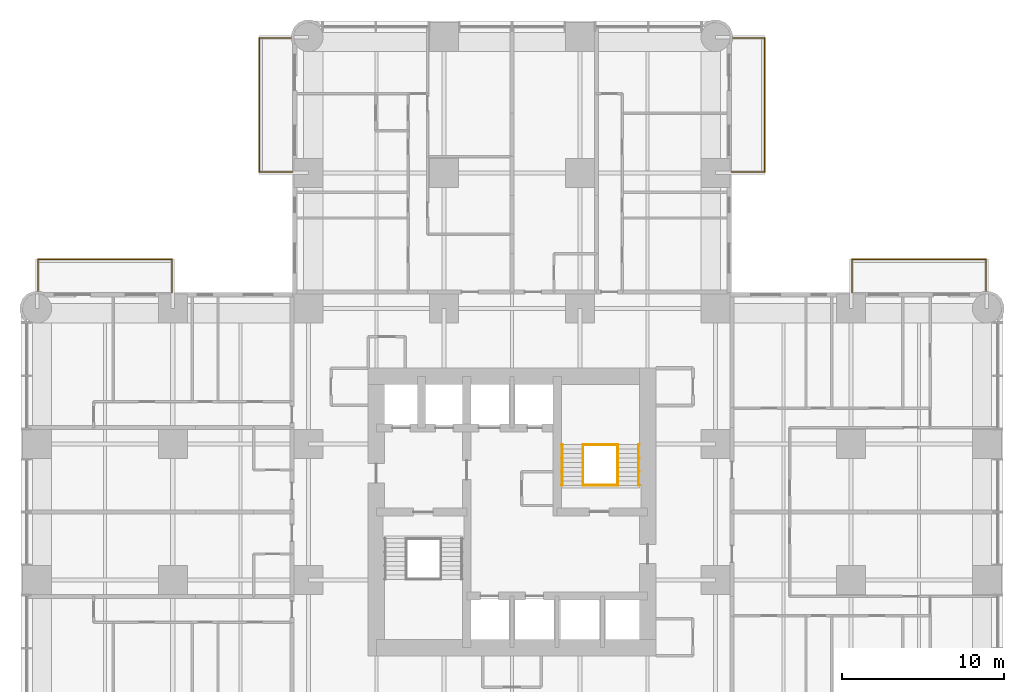
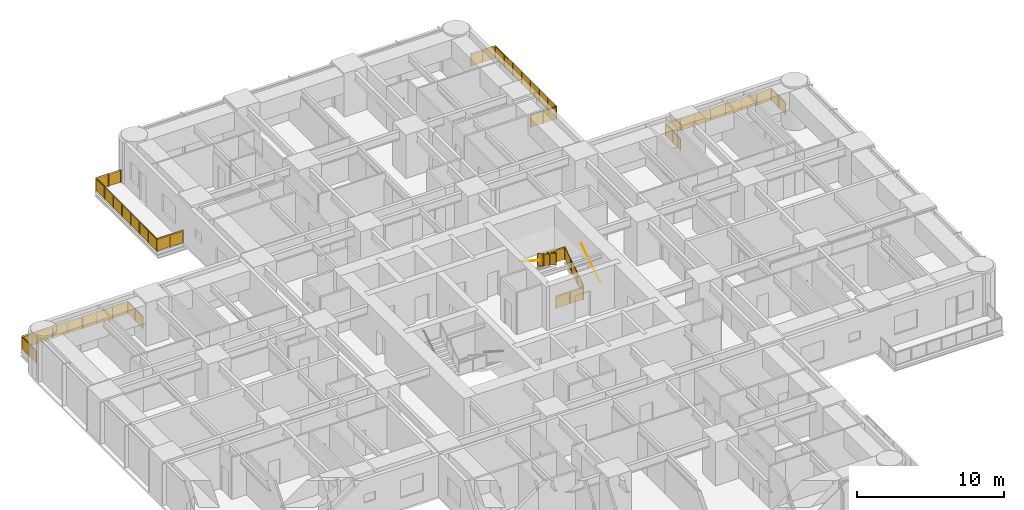
# One storey, part 17 of 17: 10 railings.
"""IFC4 building model written with IfcOpenShell, lengths in metres."""

from ifc_helpers import new_model, si_unit, direction, frame, origin, origin_2d, place, context, subcontext, project, spatial, polyline, circle, outline, extrude, material, constituent, constituent_set, type_object, element, save


model = new_model("IFC4")

# Units and contexts
model_context = context("Model", 3, precision=1e-05, world=origin(), true_north=direction((0.0, 1.0)))
body_context = subcontext(model_context, "Body", "Model", "MODEL_VIEW")
ifc_project = project(units=[si_unit("LENGTHUNIT", "METRE"), si_unit("AREAUNIT", "SQUARE_METRE"), si_unit("VOLUMEUNIT", "CUBIC_METRE"), si_unit("PLANEANGLEUNIT", "RADIAN"), si_unit("MASSUNIT", "GRAM", prefix="KILO")], contexts=[model_context])

# Site, building, storey
site_placement = place(None, origin())
site = spatial("IfcSite", under=ifc_project, at=site_placement, CompositionType="ELEMENT")
building_placement = place(site_placement, origin())
building = spatial("IfcBuilding", under=site, at=building_placement, Name="Torre Alcanfor", CompositionType="ELEMENT")
storey_placement = place(building_placement, frame((0.0, 0.0, 63.300048828125)))
storey = spatial("IfcBuildingStorey", under=building, at=storey_placement, Name="L15", CompositionType="ELEMENT", Elevation=63.300048828125)

# Railings
ifc_material_1 = material(Name="Laminated safety glass", Category="glass")
ifc_constituent_1 = constituent(ifc_material_1, Name="Infill")
ifc_material_2 = material(Name="Stainless steel ASTM A554 Grade MT 316L tube", Category="steel")
ifc_constituent_2 = constituent(ifc_material_2, Name="Posts and rail")
ifc_constituent_set = constituent_set(constituents=[ifc_constituent_1, ifc_constituent_2], Name="Balcony guard glass 1100")
railing_type_1 = type_object("IfcRailingType", Name="Balcony guard glass 1100", PredefinedType="BALUSTRADE", material=ifc_constituent_set)
railing_1_placement = place(storey_placement, frame((15.800048828125, 50.449951171875, 0.0)))
element("IfcRailing", 1, at=railing_1_placement, inside=storey, type_object=railing_type_1, Name="Balcony guard L15-N1", PredefinedType="BALUSTRADE", context=body_context, shape_type="SweptSolid", body=[
    extrude(circle(Radius=0.02392578125, at=origin_2d()), frame((0.0, 0.0, 1.076171875), z_axis=(-1.0, 0.0, 0.0), x_axis=(0.0, -1.0, 0.0)), (0.0, 0.0, 1.0), 2.050048828125),
    extrude(circle(Radius=0.02392578125, at=origin_2d()), frame((-2.050048828125, 0.0, 1.076171875), z_axis=(0.0, 1.0, 0.0), x_axis=(-1.0, 0.0, 0.0)), (0.0, 0.0, 1.0), 8.300048828125),
    extrude(circle(Radius=0.02392578125, at=origin_2d()), frame((-2.050048828125, 8.300048828125, 1.076171875), z_axis=(1.0, 0.0, 0.0), x_axis=(0.0, 1.0, 0.0)), (0.0, 0.0, 1.0), 1.968994140625),
    extrude(circle(Radius=0.02099609375, at=origin_2d()), origin(), (0.0, 0.0, 1.0), 1.052001953125),
    extrude(circle(Radius=0.02099609375, at=origin_2d()), frame((-1.02490234375, 0.0, 0.0)), (0.0, 0.0, 1.0), 1.052001953125),
    extrude(circle(Radius=0.02099609375, at=origin_2d()), frame((-2.050048828125, 0.0, 0.0)), (0.0, 0.0, 1.0), 1.052001953125),
    extrude(circle(Radius=0.02099609375, at=origin_2d()), frame((-2.050048828125, 1.185791015625, 0.0)), (0.0, 0.0, 1.0), 1.052001953125),
    extrude(circle(Radius=0.02099609375, at=origin_2d()), frame((-2.050048828125, 2.371337890625, 0.0)), (0.0, 0.0, 1.0), 1.052001953125),
    extrude(circle(Radius=0.02099609375, at=origin_2d()), frame((-2.050048828125, 3.55712890625, 0.0)), (0.0, 0.0, 1.0), 1.052001953125),
    extrude(circle(Radius=0.02099609375, at=origin_2d()), frame((-2.050048828125, 4.742919921875, 0.0)), (0.0, 0.0, 1.0), 1.052001953125),
    extrude(circle(Radius=0.02099609375, at=origin_2d()), frame((-2.050048828125, 5.9287109375, 0.0)), (0.0, 0.0, 1.0), 1.052001953125),
    extrude(circle(Radius=0.02099609375, at=origin_2d()), frame((-2.050048828125, 7.1142578125, 0.0)), (0.0, 0.0, 1.0), 1.052001953125),
    extrude(circle(Radius=0.02099609375, at=origin_2d()), frame((-2.050048828125, 8.300048828125, 0.0)), (0.0, 0.0, 1.0), 1.052001953125),
    extrude(circle(Radius=0.02099609375, at=origin_2d()), frame((-1.0654296875, 8.300048828125, 0.0)), (0.0, 0.0, 1.0), 1.052001953125),
    extrude(circle(Radius=0.02099609375, at=origin_2d()), frame((-0.0810546875, 8.300048828125, 0.0)), (0.0, 0.0, 1.0), 1.052001953125),
    extrude(outline(polyline([(0.041015625, 0.050048828125), (0.984130859375, 0.050048828125), (0.984130859375, 1.001953125), (0.041015625, 1.001953125), (0.041015625, 0.050048828125)])), frame((0.0, -0.005859375, 0.0), z_axis=(0.0, 1.0, 0.0), x_axis=(-1.0, 0.0, 0.0)), (0.0, 0.0, 1.0), 0.011962890625),
    extrude(outline(polyline([(1.06591796875, 0.050048828125), (2.009033203125, 0.050048828125), (2.009033203125, 1.001953125), (1.06591796875, 1.001953125), (1.06591796875, 0.050048828125)])), frame((0.0, -0.005859375, 0.0), z_axis=(0.0, 1.0, 0.0), x_axis=(-1.0, 0.0, 0.0)), (0.0, 0.0, 1.0), 0.011962890625),
    extrude(outline(polyline([(0.041015625, 0.050048828125), (1.144775390625, 0.050048828125), (1.144775390625, 1.001953125), (0.041015625, 1.001953125), (0.041015625, 0.050048828125)])), frame((-2.05615234375, 0.0, 0.0), z_axis=(1.0, 0.0, 0.0), x_axis=(0.0, 1.0, 0.0)), (0.0, 0.0, 1.0), 0.011962890625),
    extrude(outline(polyline([(1.226806640625, 0.050048828125), (2.330322265625, 0.050048828125), (2.330322265625, 1.001953125), (1.226806640625, 1.001953125), (1.226806640625, 0.050048828125)])), frame((-2.05615234375, 0.0, 0.0), z_axis=(1.0, 0.0, 0.0), x_axis=(0.0, 1.0, 0.0)), (0.0, 0.0, 1.0), 0.011962890625),
    extrude(outline(polyline([(2.412353515625, 0.050048828125), (3.51611328125, 0.050048828125), (3.51611328125, 1.001953125), (2.412353515625, 1.001953125), (2.412353515625, 0.050048828125)])), frame((-2.05615234375, 0.0, 0.0), z_axis=(1.0, 0.0, 0.0), x_axis=(0.0, 1.0, 0.0)), (0.0, 0.0, 1.0), 0.011962890625),
    extrude(outline(polyline([(3.59814453125, 0.050048828125), (4.701904296875, 0.050048828125), (4.701904296875, 1.001953125), (3.59814453125, 1.001953125), (3.59814453125, 0.050048828125)])), frame((-2.05615234375, 0.0, 0.0), z_axis=(1.0, 0.0, 0.0), x_axis=(0.0, 1.0, 0.0)), (0.0, 0.0, 1.0), 0.011962890625),
    extrude(outline(polyline([(4.783935546875, 0.050048828125), (5.8876953125, 0.050048828125), (5.8876953125, 1.001953125), (4.783935546875, 1.001953125), (4.783935546875, 0.050048828125)])), frame((-2.05615234375, 0.0, 0.0), z_axis=(1.0, 0.0, 0.0), x_axis=(0.0, 1.0, 0.0)), (0.0, 0.0, 1.0), 0.011962890625),
    extrude(outline(polyline([(5.9697265625, 0.050048828125), (7.0732421875, 0.050048828125), (7.0732421875, 1.001953125), (5.9697265625, 1.001953125), (5.9697265625, 0.050048828125)])), frame((-2.05615234375, 0.0, 0.0), z_axis=(1.0, 0.0, 0.0), x_axis=(0.0, 1.0, 0.0)), (0.0, 0.0, 1.0), 0.011962890625),
    extrude(outline(polyline([(7.1552734375, 0.050048828125), (8.259033203125, 0.050048828125), (8.259033203125, 1.001953125), (7.1552734375, 1.001953125), (7.1552734375, 0.050048828125)])), frame((-2.05615234375, 0.0, 0.0), z_axis=(1.0, 0.0, 0.0), x_axis=(0.0, 1.0, 0.0)), (0.0, 0.0, 1.0), 0.011962890625),
    extrude(outline(polyline([(0.041015625, 0.050048828125), (0.943603515625, 0.050048828125), (0.943603515625, 1.001953125), (0.041015625, 1.001953125), (0.041015625, 0.050048828125)])), frame((-2.050048828125, 8.30615234375, 0.0), z_axis=(0.0, -1.0, 0.0), x_axis=(1.0, 0.0, 0.0)), (0.0, 0.0, 1.0), 0.011962890625),
    extrude(outline(polyline([(1.025390625, 0.050048828125), (1.927978515625, 0.050048828125), (1.927978515625, 1.001953125), (1.025390625, 1.001953125), (1.025390625, 0.050048828125)])), frame((-2.050048828125, 8.30615234375, 0.0), z_axis=(0.0, -1.0, 0.0), x_axis=(1.0, 0.0, 0.0)), (0.0, 0.0, 1.0), 0.011962890625),
])
railing_2_placement = place(storey_placement, frame((43.0, 50.449951171875, 0.0)))
element("IfcRailing", 2, at=railing_2_placement, inside=storey, type_object=railing_type_1, Name="Balcony guard L15-N2", PredefinedType="BALUSTRADE", context=body_context, shape_type="SweptSolid", body=[
    extrude(circle(Radius=0.02392578125, at=origin_2d()), frame((0.0, 0.0, 1.076171875), z_axis=(1.0, 0.0, 0.0), x_axis=(0.0, 1.0, 0.0)), (0.0, 0.0, 1.0), 2.050048828125),
    extrude(circle(Radius=0.02392578125, at=origin_2d()), frame((2.050048828125, 0.0, 1.076171875), z_axis=(0.0, 1.0, 0.0), x_axis=(-1.0, 0.0, 0.0)), (0.0, 0.0, 1.0), 8.300048828125),
    extrude(circle(Radius=0.02392578125, at=origin_2d()), frame((2.050048828125, 8.300048828125, 1.076171875), z_axis=(-1.0, 0.0, 0.0), x_axis=(0.0, -1.0, 0.0)), (0.0, 0.0, 1.0), 1.968994140625),
    extrude(circle(Radius=0.02099609375, at=origin_2d()), origin(), (0.0, 0.0, 1.0), 1.052001953125),
    extrude(circle(Radius=0.02099609375, at=origin_2d()), frame((1.02490234375, 0.0, 0.0)), (0.0, 0.0, 1.0), 1.052001953125),
    extrude(circle(Radius=0.02099609375, at=origin_2d()), frame((2.050048828125, 0.0, 0.0)), (0.0, 0.0, 1.0), 1.052001953125),
    extrude(circle(Radius=0.02099609375, at=origin_2d()), frame((2.050048828125, 1.185791015625, 0.0)), (0.0, 0.0, 1.0), 1.052001953125),
    extrude(circle(Radius=0.02099609375, at=origin_2d()), frame((2.050048828125, 2.371337890625, 0.0)), (0.0, 0.0, 1.0), 1.052001953125),
    extrude(circle(Radius=0.02099609375, at=origin_2d()), frame((2.050048828125, 3.55712890625, 0.0)), (0.0, 0.0, 1.0), 1.052001953125),
    extrude(circle(Radius=0.02099609375, at=origin_2d()), frame((2.050048828125, 4.742919921875, 0.0)), (0.0, 0.0, 1.0), 1.052001953125),
    extrude(circle(Radius=0.02099609375, at=origin_2d()), frame((2.050048828125, 5.9287109375, 0.0)), (0.0, 0.0, 1.0), 1.052001953125),
    extrude(circle(Radius=0.02099609375, at=origin_2d()), frame((2.050048828125, 7.1142578125, 0.0)), (0.0, 0.0, 1.0), 1.052001953125),
    extrude(circle(Radius=0.02099609375, at=origin_2d()), frame((2.050048828125, 8.300048828125, 0.0)), (0.0, 0.0, 1.0), 1.052001953125),
    extrude(circle(Radius=0.02099609375, at=origin_2d()), frame((1.0654296875, 8.300048828125, 0.0)), (0.0, 0.0, 1.0), 1.052001953125),
    extrude(circle(Radius=0.02099609375, at=origin_2d()), frame((0.0810546875, 8.300048828125, 0.0)), (0.0, 0.0, 1.0), 1.052001953125),
    extrude(outline(polyline([(0.041015625, 0.050048828125), (0.984130859375, 0.050048828125), (0.984130859375, 1.001953125), (0.041015625, 1.001953125), (0.041015625, 0.050048828125)])), frame((0.0, 0.005859375, 0.0), z_axis=(0.0, -1.0, 0.0), x_axis=(1.0, 0.0, 0.0)), (0.0, 0.0, 1.0), 0.011962890625),
    extrude(outline(polyline([(1.06591796875, 0.050048828125), (2.009033203125, 0.050048828125), (2.009033203125, 1.001953125), (1.06591796875, 1.001953125), (1.06591796875, 0.050048828125)])), frame((0.0, 0.005859375, 0.0), z_axis=(0.0, -1.0, 0.0), x_axis=(1.0, 0.0, 0.0)), (0.0, 0.0, 1.0), 0.011962890625),
    extrude(outline(polyline([(0.041015625, 0.050048828125), (1.144775390625, 0.050048828125), (1.144775390625, 1.001953125), (0.041015625, 1.001953125), (0.041015625, 0.050048828125)])), frame((2.0439453125, 0.0, 0.0), z_axis=(1.0, 0.0, 0.0), x_axis=(0.0, 1.0, 0.0)), (0.0, 0.0, 1.0), 0.011962890625),
    extrude(outline(polyline([(1.226806640625, 0.050048828125), (2.330322265625, 0.050048828125), (2.330322265625, 1.001953125), (1.226806640625, 1.001953125), (1.226806640625, 0.050048828125)])), frame((2.0439453125, 0.0, 0.0), z_axis=(1.0, 0.0, 0.0), x_axis=(0.0, 1.0, 0.0)), (0.0, 0.0, 1.0), 0.011962890625),
    extrude(outline(polyline([(2.412353515625, 0.050048828125), (3.51611328125, 0.050048828125), (3.51611328125, 1.001953125), (2.412353515625, 1.001953125), (2.412353515625, 0.050048828125)])), frame((2.0439453125, 0.0, 0.0), z_axis=(1.0, 0.0, 0.0), x_axis=(0.0, 1.0, 0.0)), (0.0, 0.0, 1.0), 0.011962890625),
    extrude(outline(polyline([(3.59814453125, 0.050048828125), (4.701904296875, 0.050048828125), (4.701904296875, 1.001953125), (3.59814453125, 1.001953125), (3.59814453125, 0.050048828125)])), frame((2.0439453125, 0.0, 0.0), z_axis=(1.0, 0.0, 0.0), x_axis=(0.0, 1.0, 0.0)), (0.0, 0.0, 1.0), 0.011962890625),
    extrude(outline(polyline([(4.783935546875, 0.050048828125), (5.8876953125, 0.050048828125), (5.8876953125, 1.001953125), (4.783935546875, 1.001953125), (4.783935546875, 0.050048828125)])), frame((2.0439453125, 0.0, 0.0), z_axis=(1.0, 0.0, 0.0), x_axis=(0.0, 1.0, 0.0)), (0.0, 0.0, 1.0), 0.011962890625),
    extrude(outline(polyline([(5.9697265625, 0.050048828125), (7.0732421875, 0.050048828125), (7.0732421875, 1.001953125), (5.9697265625, 1.001953125), (5.9697265625, 0.050048828125)])), frame((2.0439453125, 0.0, 0.0), z_axis=(1.0, 0.0, 0.0), x_axis=(0.0, 1.0, 0.0)), (0.0, 0.0, 1.0), 0.011962890625),
    extrude(outline(polyline([(7.1552734375, 0.050048828125), (8.259033203125, 0.050048828125), (8.259033203125, 1.001953125), (7.1552734375, 1.001953125), (7.1552734375, 0.050048828125)])), frame((2.0439453125, 0.0, 0.0), z_axis=(1.0, 0.0, 0.0), x_axis=(0.0, 1.0, 0.0)), (0.0, 0.0, 1.0), 0.011962890625),
    extrude(outline(polyline([(0.041015625, 0.050048828125), (0.943603515625, 0.050048828125), (0.943603515625, 1.001953125), (0.041015625, 1.001953125), (0.041015625, 0.050048828125)])), frame((2.050048828125, 8.2939453125, 0.0), z_axis=(0.0, 1.0, 0.0), x_axis=(-1.0, 0.0, 0.0)), (0.0, 0.0, 1.0), 0.011962890625),
    extrude(outline(polyline([(1.025390625, 0.050048828125), (1.927978515625, 0.050048828125), (1.927978515625, 1.001953125), (1.025390625, 1.001953125), (1.025390625, 0.050048828125)])), frame((2.050048828125, 8.2939453125, 0.0), z_axis=(0.0, 1.0, 0.0), x_axis=(-1.0, 0.0, 0.0)), (0.0, 0.0, 1.0), 0.011962890625),
])
railing_3_placement = place(storey_placement, frame((50.449951171875, 43.0, 0.0)))
element("IfcRailing", 3, at=railing_3_placement, inside=storey, type_object=railing_type_1, Name="Balcony guard L15-E1", PredefinedType="BALUSTRADE", context=body_context, shape_type="SweptSolid", body=[
    extrude(circle(Radius=0.02392578125, at=origin_2d()), frame((0.0, 0.0, 1.076171875), z_axis=(0.0, 1.0, 0.0), x_axis=(-1.0, 0.0, 0.0)), (0.0, 0.0, 1.0), 2.050048828125),
    extrude(circle(Radius=0.02392578125, at=origin_2d()), frame((0.0, 2.050048828125, 1.076171875), z_axis=(1.0, 0.0, 0.0), x_axis=(0.0, 1.0, 0.0)), (0.0, 0.0, 1.0), 8.300048828125),
    extrude(circle(Radius=0.02392578125, at=origin_2d()), frame((8.300048828125, 2.050048828125, 1.076171875), z_axis=(0.0, -1.0, 0.0), x_axis=(1.0, 0.0, 0.0)), (0.0, 0.0, 1.0), 1.968994140625),
    extrude(circle(Radius=0.02099609375, at=origin_2d()), origin(), (0.0, 0.0, 1.0), 1.052001953125),
    extrude(circle(Radius=0.02099609375, at=origin_2d()), frame((0.0, 1.02490234375, 0.0)), (0.0, 0.0, 1.0), 1.052001953125),
    extrude(circle(Radius=0.02099609375, at=origin_2d()), frame((0.0, 2.050048828125, 0.0)), (0.0, 0.0, 1.0), 1.052001953125),
    extrude(circle(Radius=0.02099609375, at=origin_2d()), frame((1.185791015625, 2.050048828125, 0.0)), (0.0, 0.0, 1.0), 1.052001953125),
    extrude(circle(Radius=0.02099609375, at=origin_2d()), frame((2.371337890625, 2.050048828125, 0.0)), (0.0, 0.0, 1.0), 1.052001953125),
    extrude(circle(Radius=0.02099609375, at=origin_2d()), frame((3.55712890625, 2.050048828125, 0.0)), (0.0, 0.0, 1.0), 1.052001953125),
    extrude(circle(Radius=0.02099609375, at=origin_2d()), frame((4.742919921875, 2.050048828125, 0.0)), (0.0, 0.0, 1.0), 1.052001953125),
    extrude(circle(Radius=0.02099609375, at=origin_2d()), frame((5.9287109375, 2.050048828125, 0.0)), (0.0, 0.0, 1.0), 1.052001953125),
    extrude(circle(Radius=0.02099609375, at=origin_2d()), frame((7.1142578125, 2.050048828125, 0.0)), (0.0, 0.0, 1.0), 1.052001953125),
    extrude(circle(Radius=0.02099609375, at=origin_2d()), frame((8.300048828125, 2.050048828125, 0.0)), (0.0, 0.0, 1.0), 1.052001953125),
    extrude(circle(Radius=0.02099609375, at=origin_2d()), frame((8.300048828125, 1.0654296875, 0.0)), (0.0, 0.0, 1.0), 1.052001953125),
    extrude(circle(Radius=0.02099609375, at=origin_2d()), frame((8.300048828125, 0.0810546875, 0.0)), (0.0, 0.0, 1.0), 1.052001953125),
    extrude(outline(polyline([(0.041015625, 0.050048828125), (0.984130859375, 0.050048828125), (0.984130859375, 1.001953125), (0.041015625, 1.001953125), (0.041015625, 0.050048828125)])), frame((-0.005859375, 0.0, 0.0), z_axis=(1.0, 0.0, 0.0), x_axis=(0.0, 1.0, 0.0)), (0.0, 0.0, 1.0), 0.011962890625),
    extrude(outline(polyline([(1.06591796875, 0.050048828125), (2.009033203125, 0.050048828125), (2.009033203125, 1.001953125), (1.06591796875, 1.001953125), (1.06591796875, 0.050048828125)])), frame((-0.005859375, 0.0, 0.0), z_axis=(1.0, 0.0, 0.0), x_axis=(0.0, 1.0, 0.0)), (0.0, 0.0, 1.0), 0.011962890625),
    extrude(outline(polyline([(0.041015625, 0.050048828125), (1.144775390625, 0.050048828125), (1.144775390625, 1.001953125), (0.041015625, 1.001953125), (0.041015625, 0.050048828125)])), frame((0.0, 2.05615234375, 0.0), z_axis=(0.0, -1.0, 0.0), x_axis=(1.0, 0.0, 0.0)), (0.0, 0.0, 1.0), 0.011962890625),
    extrude(outline(polyline([(1.226806640625, 0.050048828125), (2.330322265625, 0.050048828125), (2.330322265625, 1.001953125), (1.226806640625, 1.001953125), (1.226806640625, 0.050048828125)])), frame((0.0, 2.05615234375, 0.0), z_axis=(0.0, -1.0, 0.0), x_axis=(1.0, 0.0, 0.0)), (0.0, 0.0, 1.0), 0.011962890625),
    extrude(outline(polyline([(2.412353515625, 0.050048828125), (3.51611328125, 0.050048828125), (3.51611328125, 1.001953125), (2.412353515625, 1.001953125), (2.412353515625, 0.050048828125)])), frame((0.0, 2.05615234375, 0.0), z_axis=(0.0, -1.0, 0.0), x_axis=(1.0, 0.0, 0.0)), (0.0, 0.0, 1.0), 0.011962890625),
    extrude(outline(polyline([(3.59814453125, 0.050048828125), (4.701904296875, 0.050048828125), (4.701904296875, 1.001953125), (3.59814453125, 1.001953125), (3.59814453125, 0.050048828125)])), frame((0.0, 2.05615234375, 0.0), z_axis=(0.0, -1.0, 0.0), x_axis=(1.0, 0.0, 0.0)), (0.0, 0.0, 1.0), 0.011962890625),
    extrude(outline(polyline([(4.783935546875, 0.050048828125), (5.8876953125, 0.050048828125), (5.8876953125, 1.001953125), (4.783935546875, 1.001953125), (4.783935546875, 0.050048828125)])), frame((0.0, 2.05615234375, 0.0), z_axis=(0.0, -1.0, 0.0), x_axis=(1.0, 0.0, 0.0)), (0.0, 0.0, 1.0), 0.011962890625),
    extrude(outline(polyline([(5.9697265625, 0.050048828125), (7.0732421875, 0.050048828125), (7.0732421875, 1.001953125), (5.9697265625, 1.001953125), (5.9697265625, 0.050048828125)])), frame((0.0, 2.05615234375, 0.0), z_axis=(0.0, -1.0, 0.0), x_axis=(1.0, 0.0, 0.0)), (0.0, 0.0, 1.0), 0.011962890625),
    extrude(outline(polyline([(7.1552734375, 0.050048828125), (8.259033203125, 0.050048828125), (8.259033203125, 1.001953125), (7.1552734375, 1.001953125), (7.1552734375, 0.050048828125)])), frame((0.0, 2.05615234375, 0.0), z_axis=(0.0, -1.0, 0.0), x_axis=(1.0, 0.0, 0.0)), (0.0, 0.0, 1.0), 0.011962890625),
    extrude(outline(polyline([(0.041015625, 0.050048828125), (0.943603515625, 0.050048828125), (0.943603515625, 1.001953125), (0.041015625, 1.001953125), (0.041015625, 0.050048828125)])), frame((8.30615234375, 2.050048828125, 0.0), z_axis=(-1.0, 0.0, 0.0), x_axis=(0.0, -1.0, 0.0)), (0.0, 0.0, 1.0), 0.011962890625),
    extrude(outline(polyline([(1.025390625, 0.050048828125), (1.927978515625, 0.050048828125), (1.927978515625, 1.001953125), (1.025390625, 1.001953125), (1.025390625, 0.050048828125)])), frame((8.30615234375, 2.050048828125, 0.0), z_axis=(-1.0, 0.0, 0.0), x_axis=(0.0, -1.0, 0.0)), (0.0, 0.0, 1.0), 0.011962890625),
])
railing_4_placement = place(storey_placement, frame((8.35009765625, 43.0, 0.0)))
element("IfcRailing", 4, at=railing_4_placement, inside=storey, type_object=railing_type_1, Name="Balcony guard L15-W2", PredefinedType="BALUSTRADE", context=body_context, shape_type="SweptSolid", body=[
    extrude(circle(Radius=0.02392578125, at=origin_2d()), frame((0.0, 0.0, 1.076171875), z_axis=(0.0, 1.0, 0.0), x_axis=(-1.0, 0.0, 0.0)), (0.0, 0.0, 1.0), 2.050048828125),
    extrude(circle(Radius=0.02392578125, at=origin_2d()), frame((0.0, 2.050048828125, 1.076171875), z_axis=(-1.0, 0.0, 0.0), x_axis=(0.0, -1.0, 0.0)), (0.0, 0.0, 1.0), 8.300048828125),
    extrude(circle(Radius=0.02392578125, at=origin_2d()), frame((-8.300048828125, 2.050048828125, 1.076171875), z_axis=(0.0, -1.0, 0.0), x_axis=(1.0, 0.0, 0.0)), (0.0, 0.0, 1.0), 1.968994140625),
    extrude(circle(Radius=0.02099609375, at=origin_2d()), origin(), (0.0, 0.0, 1.0), 1.052001953125),
    extrude(circle(Radius=0.02099609375, at=origin_2d()), frame((0.0, 1.02490234375, 0.0)), (0.0, 0.0, 1.0), 1.052001953125),
    extrude(circle(Radius=0.02099609375, at=origin_2d()), frame((0.0, 2.050048828125, 0.0)), (0.0, 0.0, 1.0), 1.052001953125),
    extrude(circle(Radius=0.02099609375, at=origin_2d()), frame((-1.185791015625, 2.050048828125, 0.0)), (0.0, 0.0, 1.0), 1.052001953125),
    extrude(circle(Radius=0.02099609375, at=origin_2d()), frame((-2.371337890625, 2.050048828125, 0.0)), (0.0, 0.0, 1.0), 1.052001953125),
    extrude(circle(Radius=0.02099609375, at=origin_2d()), frame((-3.55712890625, 2.050048828125, 0.0)), (0.0, 0.0, 1.0), 1.052001953125),
    extrude(circle(Radius=0.02099609375, at=origin_2d()), frame((-4.742919921875, 2.050048828125, 0.0)), (0.0, 0.0, 1.0), 1.052001953125),
    extrude(circle(Radius=0.02099609375, at=origin_2d()), frame((-5.9287109375, 2.050048828125, 0.0)), (0.0, 0.0, 1.0), 1.052001953125),
    extrude(circle(Radius=0.02099609375, at=origin_2d()), frame((-7.1142578125, 2.050048828125, 0.0)), (0.0, 0.0, 1.0), 1.052001953125),
    extrude(circle(Radius=0.02099609375, at=origin_2d()), frame((-8.300048828125, 2.050048828125, 0.0)), (0.0, 0.0, 1.0), 1.052001953125),
    extrude(circle(Radius=0.02099609375, at=origin_2d()), frame((-8.300048828125, 1.0654296875, 0.0)), (0.0, 0.0, 1.0), 1.052001953125),
    extrude(circle(Radius=0.02099609375, at=origin_2d()), frame((-8.300048828125, 0.0810546875, 0.0)), (0.0, 0.0, 1.0), 1.052001953125),
    extrude(outline(polyline([(0.041015625, 0.050048828125), (0.984130859375, 0.050048828125), (0.984130859375, 1.001953125), (0.041015625, 1.001953125), (0.041015625, 0.050048828125)])), frame((-0.005859375, 0.0, 0.0), z_axis=(1.0, 0.0, 0.0), x_axis=(0.0, 1.0, 0.0)), (0.0, 0.0, 1.0), 0.011962890625),
    extrude(outline(polyline([(1.06591796875, 0.050048828125), (2.009033203125, 0.050048828125), (2.009033203125, 1.001953125), (1.06591796875, 1.001953125), (1.06591796875, 0.050048828125)])), frame((-0.005859375, 0.0, 0.0), z_axis=(1.0, 0.0, 0.0), x_axis=(0.0, 1.0, 0.0)), (0.0, 0.0, 1.0), 0.011962890625),
    extrude(outline(polyline([(0.041015625, 0.050048828125), (1.144775390625, 0.050048828125), (1.144775390625, 1.001953125), (0.041015625, 1.001953125), (0.041015625, 0.050048828125)])), frame((0.0, 2.0439453125, 0.0), z_axis=(0.0, 1.0, 0.0), x_axis=(-1.0, 0.0, 0.0)), (0.0, 0.0, 1.0), 0.011962890625),
    extrude(outline(polyline([(1.226806640625, 0.050048828125), (2.330322265625, 0.050048828125), (2.330322265625, 1.001953125), (1.226806640625, 1.001953125), (1.226806640625, 0.050048828125)])), frame((0.0, 2.0439453125, 0.0), z_axis=(0.0, 1.0, 0.0), x_axis=(-1.0, 0.0, 0.0)), (0.0, 0.0, 1.0), 0.011962890625),
    extrude(outline(polyline([(2.412353515625, 0.050048828125), (3.51611328125, 0.050048828125), (3.51611328125, 1.001953125), (2.412353515625, 1.001953125), (2.412353515625, 0.050048828125)])), frame((0.0, 2.0439453125, 0.0), z_axis=(0.0, 1.0, 0.0), x_axis=(-1.0, 0.0, 0.0)), (0.0, 0.0, 1.0), 0.011962890625),
    extrude(outline(polyline([(3.59814453125, 0.050048828125), (4.701904296875, 0.050048828125), (4.701904296875, 1.001953125), (3.59814453125, 1.001953125), (3.59814453125, 0.050048828125)])), frame((0.0, 2.0439453125, 0.0), z_axis=(0.0, 1.0, 0.0), x_axis=(-1.0, 0.0, 0.0)), (0.0, 0.0, 1.0), 0.011962890625),
    extrude(outline(polyline([(4.783935546875, 0.050048828125), (5.8876953125, 0.050048828125), (5.8876953125, 1.001953125), (4.783935546875, 1.001953125), (4.783935546875, 0.050048828125)])), frame((0.0, 2.0439453125, 0.0), z_axis=(0.0, 1.0, 0.0), x_axis=(-1.0, 0.0, 0.0)), (0.0, 0.0, 1.0), 0.011962890625),
    extrude(outline(polyline([(5.9697265625, 0.050048828125), (7.0732421875, 0.050048828125), (7.0732421875, 1.001953125), (5.9697265625, 1.001953125), (5.9697265625, 0.050048828125)])), frame((0.0, 2.0439453125, 0.0), z_axis=(0.0, 1.0, 0.0), x_axis=(-1.0, 0.0, 0.0)), (0.0, 0.0, 1.0), 0.011962890625),
    extrude(outline(polyline([(7.1552734375, 0.050048828125), (8.259033203125, 0.050048828125), (8.259033203125, 1.001953125), (7.1552734375, 1.001953125), (7.1552734375, 0.050048828125)])), frame((0.0, 2.0439453125, 0.0), z_axis=(0.0, 1.0, 0.0), x_axis=(-1.0, 0.0, 0.0)), (0.0, 0.0, 1.0), 0.011962890625),
    extrude(outline(polyline([(0.041015625, 0.050048828125), (0.943603515625, 0.050048828125), (0.943603515625, 1.001953125), (0.041015625, 1.001953125), (0.041015625, 0.050048828125)])), frame((-8.2939453125, 2.050048828125, 0.0), z_axis=(-1.0, 0.0, 0.0), x_axis=(0.0, -1.0, 0.0)), (0.0, 0.0, 1.0), 0.011962890625),
    extrude(outline(polyline([(1.025390625, 0.050048828125), (1.927978515625, 0.050048828125), (1.927978515625, 1.001953125), (1.025390625, 1.001953125), (1.025390625, 0.050048828125)])), frame((-8.2939453125, 2.050048828125, 0.0), z_axis=(-1.0, 0.0, 0.0), x_axis=(0.0, -1.0, 0.0)), (0.0, 0.0, 1.0), 0.011962890625),
])
ifc_material_3 = material(Name="Steel ASTM A500 Grade C hollow sections", Category="steel")
railing_type_2 = type_object("IfcRailingType", Name="Stair guard and handrail 1100", PredefinedType="GUARDRAIL", material=ifc_material_3)
railing_5_placement = place(storey_placement, frame((35.949951171875, 31.050048828125, 0.179931640625)))
element("IfcRailing", 5, at=railing_5_placement, inside=storey, type_object=railing_type_2, Name="Stair guard S2 L15 flight 1", PredefinedType="GUARDRAIL", context=body_context, shape_type="SweptSolid", body=[
    extrude(circle(Radius=0.02392578125, at=origin_2d()), frame((0.0, 0.0, 1.076171875), z_axis=(0.0, 0.841162588446, 0.540782303519), x_axis=(-1.0, 0.0, 0.0)), (0.0, 0.0, 1.0), 2.995849609375),
    extrude(circle(Radius=0.02099609375, at=origin_2d()), origin(), (0.0, 0.0, 1.0), 1.052001953125),
    extrude(circle(Radius=0.02099609375, at=origin_2d()), frame((0.0, 0.840087890625, 0.5400390625)), (0.0, 0.0, 1.0), 1.052001953125),
    extrude(circle(Radius=0.02099609375, at=origin_2d()), frame((0.0, 1.679931640625, 1.080078125)), (0.0, 0.0, 1.0), 1.052001953125),
    extrude(circle(Radius=0.02099609375, at=origin_2d()), frame((0.0, 2.52001953125, 1.6201171875)), (0.0, 0.0, 1.0), 1.052001953125),
    extrude(outline(polyline([(0.041015625, 0.076416015625), (0.799072265625, 0.563720703125), (0.799072265625, 1.515625), (0.041015625, 1.0283203125), (0.041015625, 0.076416015625)])), frame((-0.005859375, 0.0, 0.0), z_axis=(1.0, 0.0, 0.0), x_axis=(0.0, 1.0, 0.0)), (0.0, 0.0, 1.0), 0.011962890625),
    extrude(outline(polyline([(0.881103515625, 0.616455078125), (1.638916015625, 1.103759765625), (1.638916015625, 2.0556640625), (0.881103515625, 1.568359375), (0.881103515625, 0.616455078125)])), frame((-0.005859375, 0.0, 0.0), z_axis=(1.0, 0.0, 0.0), x_axis=(0.0, 1.0, 0.0)), (0.0, 0.0, 1.0), 0.011962890625),
    extrude(outline(polyline([(1.720947265625, 1.156494140625), (2.47900390625, 1.643798828125), (2.47900390625, 2.595703125), (1.720947265625, 2.1083984375), (1.720947265625, 1.156494140625)])), frame((-0.005859375, 0.0, 0.0), z_axis=(1.0, 0.0, 0.0), x_axis=(0.0, 1.0, 0.0)), (0.0, 0.0, 1.0), 0.011962890625),
])
railing_6_placement = place(storey_placement, frame((33.800048828125, 33.570068359375, 1.97998046875)))
element("IfcRailing", 6, at=railing_6_placement, inside=storey, type_object=railing_type_2, Name="Stair guard S2 L15 flight 2", PredefinedType="GUARDRAIL", context=body_context, shape_type="SweptSolid", body=[
    extrude(circle(Radius=0.02392578125, at=origin_2d()), frame((0.0, 0.0, 1.076171875), z_axis=(0.0, -0.841199657755, 0.540724639528), x_axis=(1.0, 0.0, 0.0)), (0.0, 0.0, 1.0), 2.995849609375),
    extrude(circle(Radius=0.02099609375, at=origin_2d()), origin(), (0.0, 0.0, 1.0), 1.052001953125),
    extrude(circle(Radius=0.02099609375, at=origin_2d()), frame((0.0, -0.840087890625, 0.5400390625)), (0.0, 0.0, 1.0), 1.052001953125),
    extrude(circle(Radius=0.02099609375, at=origin_2d()), frame((0.0, -1.679931640625, 1.079833984375)), (0.0, 0.0, 1.0), 1.052001953125),
    extrude(circle(Radius=0.02099609375, at=origin_2d()), frame((0.0, -2.52001953125, 1.619873046875)), (0.0, 0.0, 1.0), 1.052001953125),
    extrude(outline(polyline([(0.041015625, 0.076416015625), (0.799072265625, 0.563720703125), (0.799072265625, 1.515625), (0.041015625, 1.0283203125), (0.041015625, 0.076416015625)])), frame((0.005859375, 0.0, 0.0), z_axis=(-1.0, 0.0, 0.0), x_axis=(0.0, -1.0, 0.0)), (0.0, 0.0, 1.0), 0.011962890625),
    extrude(outline(polyline([(0.881103515625, 0.6162109375), (1.638916015625, 1.103515625), (1.638916015625, 2.0556640625), (0.881103515625, 1.568359375), (0.881103515625, 0.6162109375)])), frame((0.005859375, 0.0, 0.0), z_axis=(-1.0, 0.0, 0.0), x_axis=(0.0, -1.0, 0.0)), (0.0, 0.0, 1.0), 0.011962890625),
    extrude(outline(polyline([(1.720947265625, 1.15625), (2.47900390625, 1.6435546875), (2.47900390625, 2.595458984375), (1.720947265625, 2.108154296875), (1.720947265625, 1.15625)])), frame((0.005859375, 0.0, 0.0), z_axis=(-1.0, 0.0, 0.0), x_axis=(0.0, -1.0, 0.0)), (0.0, 0.0, 1.0), 0.011962890625),
])
for number, where, name in (
    (7, (33.800048828125, 31.050048828125, 0.0), "Stair well guard S2 L15 floor landing"),
    (8, (33.800048828125, 33.570068359375, 1.800048828125), "Stair well guard S2 L15 half landing"),
):
    element("IfcRailing", number, at=place(storey_placement, frame(where)), inside=storey, type_object=railing_type_2, Name=name, PredefinedType="GUARDRAIL", context=body_context, shape_type="SweptSolid", body=[
        extrude(circle(Radius=0.02392578125, at=origin_2d()), frame((0.0, 0.0, 1.076171875), z_axis=(1.0, 0.0, 0.0), x_axis=(0.0, 1.0, 0.0)), (0.0, 0.0, 1.0), 2.14990234375),
        extrude(circle(Radius=0.02099609375, at=origin_2d()), origin(), (0.0, 0.0, 1.0), 1.052001953125),
        extrude(circle(Radius=0.02099609375, at=origin_2d()), frame((1.074951171875, 0.0, 0.0)), (0.0, 0.0, 1.0), 1.052001953125),
        extrude(circle(Radius=0.02099609375, at=origin_2d()), frame((2.14990234375, 0.0, 0.0)), (0.0, 0.0, 1.0), 1.052001953125),
        extrude(outline(polyline([(0.041015625, 0.050048828125), (1.033935546875, 0.050048828125), (1.033935546875, 1.001953125), (0.041015625, 1.001953125), (0.041015625, 0.050048828125)])), frame((0.0, 0.005859375, 0.0), z_axis=(0.0, -1.0, 0.0), x_axis=(1.0, 0.0, 0.0)), (0.0, 0.0, 1.0), 0.011962890625),
        extrude(outline(polyline([(1.115966796875, 0.050048828125), (2.10888671875, 0.050048828125), (2.10888671875, 1.001953125), (1.115966796875, 1.001953125), (1.115966796875, 0.050048828125)])), frame((0.0, 0.005859375, 0.0), z_axis=(0.0, -1.0, 0.0), x_axis=(1.0, 0.0, 0.0)), (0.0, 0.0, 1.0), 0.011962890625),
    ])
ifc_material_4 = material(Name="Steel ASTM A500 Grade C hollow sections", Category="steel")
railing_type_3 = type_object("IfcRailingType", Name="Stair wall handrail 900", PredefinedType="HANDRAIL", material=ifc_material_4)
railing_7_placement = place(storey_placement, frame((37.235107421875, 31.050048828125, 0.179931640625)))
element("IfcRailing", 9, at=railing_7_placement, inside=storey, type_object=railing_type_3, Name="Stair handrail S2 L15 flight 1", PredefinedType="HANDRAIL", context=body_context, shape_type="SweptSolid", body=[
    extrude(circle(Radius=0.02392578125, at=origin_2d()), frame((0.0, 0.0, 0.8759765625), z_axis=(0.0, 0.841162588446, 0.540782303519), x_axis=(-1.0, 0.0, 0.0)), (0.0, 0.0, 1.0), 2.995849609375),
    extrude(circle(Radius=0.008056640625, at=origin_2d()), frame((0.0, 0.0, 0.8759765625), z_axis=(1.0, 0.0, 0.0), x_axis=(0.0, 0.0, 1.0)), (0.0, 0.0, 1.0), 0.06494140625),
    extrude(circle(Radius=0.008056640625, at=origin_2d()), frame((0.0, 0.840087890625, 1.416015625), z_axis=(1.0, 0.0, 0.0), x_axis=(0.0, 0.0, 1.0)), (0.0, 0.0, 1.0), 0.06494140625),
    extrude(circle(Radius=0.008056640625, at=origin_2d()), frame((0.0, 1.679931640625, 1.9560546875), z_axis=(1.0, 0.0, 0.0), x_axis=(0.0, 0.0, 1.0)), (0.0, 0.0, 1.0), 0.06494140625),
    extrude(circle(Radius=0.008056640625, at=origin_2d()), frame((0.0, 2.52001953125, 2.49609375), z_axis=(1.0, 0.0, 0.0), x_axis=(0.0, 0.0, 1.0)), (0.0, 0.0, 1.0), 0.06494140625),
])
railing_8_placement = place(storey_placement, frame((32.514892578125, 33.570068359375, 1.97998046875)))
element("IfcRailing", 10, at=railing_8_placement, inside=storey, type_object=railing_type_3, Name="Stair handrail S2 L15 flight 2", PredefinedType="HANDRAIL", context=body_context, shape_type="SweptSolid", body=[
    extrude(circle(Radius=0.02392578125, at=origin_2d()), frame((0.0, 0.0, 0.8759765625), z_axis=(0.0, -0.841199657755, 0.540724639528), x_axis=(1.0, 0.0, 0.0)), (0.0, 0.0, 1.0), 2.995849609375),
    extrude(circle(Radius=0.008056640625, at=origin_2d()), frame((0.0, 0.0, 0.8759765625), z_axis=(-1.0, 0.0, 0.0), x_axis=(0.0, 0.0, 1.0)), (0.0, 0.0, 1.0), 0.06494140625),
    extrude(circle(Radius=0.008056640625, at=origin_2d()), frame((0.0, -0.840087890625, 1.415771484375), z_axis=(-1.0, 0.0, 0.0), x_axis=(0.0, 0.0, 1.0)), (0.0, 0.0, 1.0), 0.06494140625),
    extrude(circle(Radius=0.008056640625, at=origin_2d()), frame((0.0, -1.679931640625, 1.955810546875), z_axis=(-1.0, 0.0, 0.0), x_axis=(0.0, 0.0, 1.0)), (0.0, 0.0, 1.0), 0.06494140625),
    extrude(circle(Radius=0.008056640625, at=origin_2d()), frame((0.0, -2.52001953125, 2.49560546875), z_axis=(-1.0, 0.0, 0.0), x_axis=(0.0, 0.0, 1.0)), (0.0, 0.0, 1.0), 0.06494140625),
])

save(model, "model.ifc")
